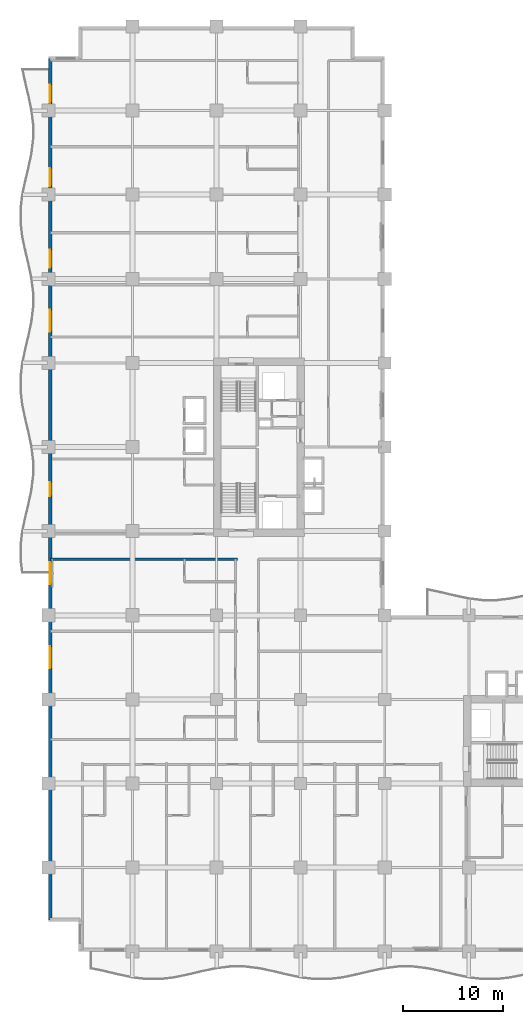
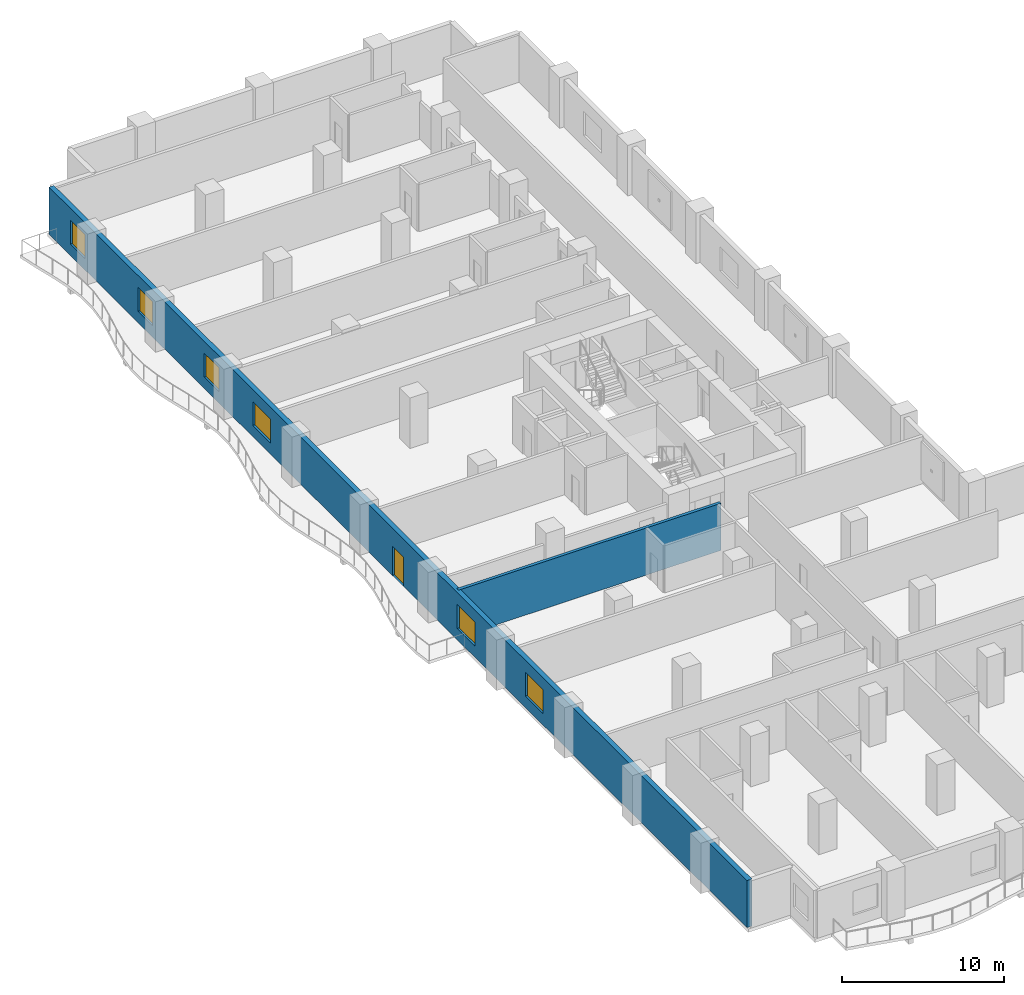
# One storey, part 7 of 18: 6 windows, 2 walls, 1 door, 7 openings.
"""IFC4 building model written with IfcOpenShell, lengths in metres."""

from ifc_helpers import new_model, si_unit, direction, frame, frame_2d, origin, place, context, subcontext, project, spatial, rectangle, extrude, material, layer, layer_set, type_object, element, fill, save


model = new_model("IFC4")

# Units and contexts
model_context = context("Model", 3, precision=1e-05, world=origin(), true_north=direction((0.0, 1.0)))
body_context = subcontext(model_context, "Body", "Model", "MODEL_VIEW")
ifc_project = project(units=[si_unit("LENGTHUNIT", "METRE"), si_unit("AREAUNIT", "SQUARE_METRE"), si_unit("VOLUMEUNIT", "CUBIC_METRE"), si_unit("PLANEANGLEUNIT", "RADIAN"), si_unit("MASSUNIT", "GRAM", prefix="KILO")], contexts=[model_context])

# Site, building, storey
site_placement = place(None, origin())
site = spatial("IfcSite", under=ifc_project, at=site_placement, CompositionType="ELEMENT")
building_placement = place(site_placement, origin())
building = spatial("IfcBuilding", under=site, at=building_placement, Name="Koriwani Terraces Tower", CompositionType="ELEMENT")
storey_placement = place(building_placement, frame((0.0, 0.0, 107.60009765625)))
storey = spatial("IfcBuildingStorey", under=building, at=storey_placement, Name="L25", CompositionType="ELEMENT", Elevation=107.60009765625)

# Wall
ifc_material_1 = material(Name="Autoclaved Cellular Concrete Blockwork", Category="masonry")
ifc_layer_1 = layer(ifc_material_1, 0.219970703125, Name="Autoclaved Cellular Concrete Blockwork")
ifc_layer_set_1 = layer_set([ifc_layer_1], Name="Autoclaved Cellular Concrete Blockwork")
wall_type_1 = type_object("IfcWallType", Name="WALL_DEMISING_220", PredefinedType="PARTITIONING", material=ifc_layer_set_1)
wall_1_placement = place(storey_placement, frame((0.199951171875, 39.199951171875, 0.0), z_axis=(0.0, 0.0, 1.0), x_axis=(1.0, 0.0, 0.0)))
element("IfcWall", 1, at=wall_1_placement, inside=storey, type_object=wall_type_1, Name="L25 Interior Wall WDEME-L25-NW", PredefinedType="PARTITIONING", context=body_context, shape_type="SweptSolid", body=[
    extrude(rectangle(XDim=18.679931640625, YDim=0.219970703125, at=frame_2d((9.33984375, 0.0))), origin(), (0.0, 0.0, 1.0), 3.5498046875),
])

# Wall, openings, door, windows
ifc_material_2 = material(Name="Concrete C50/60", Category="concrete")
ifc_layer_2 = layer(ifc_material_2, 0.35009765625, Name="Concrete C50/60")
ifc_layer_set_2 = layer_set([ifc_layer_2], Name="Concrete C50/60")
wall_type_2 = type_object("IfcWallType", Name="WALL_EXT_BRUTALIST_350", PredefinedType="STANDARD", material=ifc_layer_set_2)
wall_2_placement = place(storey_placement, frame((0.175048828125, 3.175048828125, 0.0), z_axis=(0.0, 0.0, 1.0), x_axis=(0.0, 1.0, 0.0)))
wall_2 = element("IfcWall", 2, at=wall_2_placement, inside=storey, type_object=wall_type_2, Name="L25 Fair-Faced Brutalist Exterior Wall (W)", PredefinedType="STANDARD", context=body_context, shape_type="SweptSolid", body=[
    extrude(rectangle(XDim=86.050048828125, YDim=0.35009765625, at=frame_2d((43.02490234375, 0.0))), origin(), (0.0, 0.0, 1.0), 3.5498046875),
])
opening_1_placement = place(wall_2_placement, frame((42.324951171875, 0.0, 0.0)))
opening_1 = element("IfcOpeningElement", 3, at=opening_1_placement, cuts=wall_2, Name="Opening D-09", PredefinedType="OPENING", context=body_context, shape_type="SweptSolid", body=[
    extrude(rectangle(XDim=1.39990234375, YDim=2.199951171875, at=frame_2d((0.699951171875, 1.10009765625))), frame((0.0, 0.18505859375, 0.0), z_axis=(0.0, -1.0, 0.0), x_axis=(1.0, 0.0, 0.0)), (0.0, 0.0, 1.0), 0.3701171875),
])
opening_2_placement = place(wall_2_placement, frame((25.125, 0.0, 0.85009765625)))
opening_2 = element("IfcOpeningElement", 4, at=opening_2_placement, cuts=wall_2, Name="Opening W-01", PredefinedType="OPENING", context=body_context, shape_type="SweptSolid", body=[
    extrude(rectangle(XDim=2.199951171875, YDim=1.800048828125, at=frame_2d((1.10009765625, 0.89990234375))), frame((0.0, 0.18505859375, 0.0), z_axis=(0.0, -1.0, 0.0), x_axis=(1.0, 0.0, 0.0)), (0.0, 0.0, 1.0), 0.3701171875),
])
opening_3_placement = place(wall_2_placement, frame((33.52490234375, 0.0, 0.85009765625)))
opening_3 = element("IfcOpeningElement", 5, at=opening_3_placement, cuts=wall_2, Name="Opening W-01", PredefinedType="OPENING", context=body_context, shape_type="SweptSolid", body=[
    extrude(rectangle(XDim=2.199951171875, YDim=1.800048828125, at=frame_2d((1.10009765625, 0.89990234375))), frame((0.0, 0.18505859375, 0.0), z_axis=(0.0, -1.0, 0.0), x_axis=(1.0, 0.0, 0.0)), (0.0, 0.0, 1.0), 0.3701171875),
])
opening_4_placement = place(wall_2_placement, frame((58.72509765625, 0.0, 0.85009765625)))
opening_4 = element("IfcOpeningElement", 6, at=opening_4_placement, cuts=wall_2, Name="Opening W-01", PredefinedType="OPENING", context=body_context, shape_type="SweptSolid", body=[
    extrude(rectangle(XDim=2.199951171875, YDim=1.800048828125, at=frame_2d((1.10009765625, 0.89990234375))), frame((0.0, 0.18505859375, 0.0), z_axis=(0.0, -1.0, 0.0), x_axis=(1.0, 0.0, 0.0)), (0.0, 0.0, 1.0), 0.3701171875),
])
opening_5_placement = place(wall_2_placement, frame((65.125, 0.0, 0.85009765625)))
opening_5 = element("IfcOpeningElement", 7, at=opening_5_placement, cuts=wall_2, Name="Opening W-04", PredefinedType="OPENING", context=body_context, shape_type="SweptSolid", body=[
    extrude(rectangle(XDim=1.800048828125, YDim=1.800048828125, at=frame_2d((0.89990234375, 0.89990234375))), frame((0.0, 0.18505859375, 0.0), z_axis=(0.0, -1.0, 0.0), x_axis=(1.0, 0.0, 0.0)), (0.0, 0.0, 1.0), 0.3701171875),
])
opening_6_placement = place(wall_2_placement, frame((73.27490234375, 0.0, 0.85009765625)))
opening_6 = element("IfcOpeningElement", 8, at=opening_6_placement, cuts=wall_2, Name="Opening W-04", PredefinedType="OPENING", context=body_context, shape_type="SweptSolid", body=[
    extrude(rectangle(XDim=1.800048828125, YDim=1.800048828125, at=frame_2d((0.89990234375, 0.89990234375))), frame((0.0, 0.18505859375, 0.0), z_axis=(0.0, -1.0, 0.0), x_axis=(1.0, 0.0, 0.0)), (0.0, 0.0, 1.0), 0.3701171875),
])
opening_7_placement = place(wall_2_placement, frame((81.625, 0.0, 0.85009765625)))
opening_7 = element("IfcOpeningElement", 9, at=opening_7_placement, cuts=wall_2, Name="Opening W-04", PredefinedType="OPENING", context=body_context, shape_type="SweptSolid", body=[
    extrude(rectangle(XDim=1.800048828125, YDim=1.800048828125, at=frame_2d((0.89990234375, 0.89990234375))), frame((0.0, 0.18505859375, 0.0), z_axis=(0.0, -1.0, 0.0), x_axis=(1.0, 0.0, 0.0)), (0.0, 0.0, 1.0), 0.3701171875),
])
ifc_material_3 = material(Name="Anodised Bronze Aluminium", Category="aluminium")
door_type = type_object("IfcDoorType", Name="DOOR_BALCONY_GLAZED_1400X2200", OperationType="NOTDEFINED", PredefinedType="DOOR", material=ifc_material_3)
door_placement = place(opening_1_placement, origin())
door = element("IfcDoor", 10, at=door_placement, inside=storey, type_object=door_type, Name="L25 West Balcony Glazed Door", OperationType="SINGLE_SWING_LEFT", OverallHeight=2.199951171875, OverallWidth=1.39990234375, PredefinedType="DOOR", context=body_context, shape_type="SweptSolid", body=[
    extrude(rectangle(XDim=1.39990234375, YDim=2.199951171875, at=frame_2d((0.699951171875, 1.10009765625))), frame((0.0, 0.02490234375, 0.0), z_axis=(0.0, -1.0, 0.0), x_axis=(1.0, 0.0, 0.0)), (0.0, 0.0, 1.0), 0.050048828125),
])
fill(opening_1, door)
ifc_material_4 = material(Name="Tempered Laminated Low-E Glass", Category="glass")
window_type_1 = type_object("IfcWindowType", Name="WIN_HOTEL_STD_2200X1800", PartitioningType="DOUBLE_PANEL_VERTICAL", PredefinedType="WINDOW", material=ifc_material_4)
window_1_placement = place(opening_2_placement, origin())
window_1 = element("IfcWindow", 11, at=window_1_placement, inside=storey, type_object=window_type_1, Name="L25 Exterior Window (W-9)", OverallHeight=1.800048828125, OverallWidth=2.199951171875, PartitioningType="SINGLE_PANEL", PredefinedType="WINDOW", context=body_context, shape_type="SweptSolid", body=[
    extrude(rectangle(XDim=2.199951171875, YDim=1.800048828125, at=frame_2d((1.10009765625, 0.89990234375))), frame((0.0, 0.030029296875, 0.0), z_axis=(0.0, -1.0, 0.0), x_axis=(1.0, 0.0, 0.0)), (0.0, 0.0, 1.0), 0.06005859375),
])
fill(opening_2, window_1)
window_2_placement = place(opening_3_placement, origin())
window_2 = element("IfcWindow", 12, at=window_2_placement, inside=storey, type_object=window_type_1, Name="L25 Exterior Window (W-12)", OverallHeight=1.800048828125, OverallWidth=2.199951171875, PartitioningType="SINGLE_PANEL", PredefinedType="WINDOW", context=body_context, shape_type="SweptSolid", body=[
    extrude(rectangle(XDim=2.199951171875, YDim=1.800048828125, at=frame_2d((1.10009765625, 0.89990234375))), frame((0.0, 0.030029296875, 0.0), z_axis=(0.0, -1.0, 0.0), x_axis=(1.0, 0.0, 0.0)), (0.0, 0.0, 1.0), 0.06005859375),
])
fill(opening_3, window_2)
window_3_placement = place(opening_4_placement, origin())
window_3 = element("IfcWindow", 13, at=window_3_placement, inside=storey, type_object=window_type_1, Name="L25 Exterior Window (W-21)", OverallHeight=1.800048828125, OverallWidth=2.199951171875, PartitioningType="SINGLE_PANEL", PredefinedType="WINDOW", context=body_context, shape_type="SweptSolid", body=[
    extrude(rectangle(XDim=2.199951171875, YDim=1.800048828125, at=frame_2d((1.10009765625, 0.89990234375))), frame((0.0, 0.030029296875, 0.0), z_axis=(0.0, -1.0, 0.0), x_axis=(1.0, 0.0, 0.0)), (0.0, 0.0, 1.0), 0.06005859375),
])
fill(opening_4, window_3)
window_type_2 = type_object("IfcWindowType", Name="WIN_RES_BED_1800X1800", PartitioningType="DOUBLE_PANEL_VERTICAL", PredefinedType="WINDOW", material=ifc_material_4)
window_4_placement = place(opening_5_placement, origin())
window_4 = element("IfcWindow", 14, at=window_4_placement, inside=storey, type_object=window_type_2, Name="L25 Exterior Window (W-R48)", OverallHeight=1.800048828125, OverallWidth=1.800048828125, PartitioningType="SINGLE_PANEL", PredefinedType="WINDOW", context=body_context, shape_type="SweptSolid", body=[
    extrude(rectangle(XDim=1.800048828125, YDim=1.800048828125, at=frame_2d((0.89990234375, 0.89990234375))), frame((0.0, 0.030029296875, 0.0), z_axis=(0.0, -1.0, 0.0), x_axis=(1.0, 0.0, 0.0)), (0.0, 0.0, 1.0), 0.06005859375),
])
fill(opening_5, window_4)
window_5_placement = place(opening_6_placement, origin())
window_5 = element("IfcWindow", 15, at=window_5_placement, inside=storey, type_object=window_type_2, Name="L25 Exterior Window (W-R50)", OverallHeight=1.800048828125, OverallWidth=1.800048828125, PartitioningType="SINGLE_PANEL", PredefinedType="WINDOW", context=body_context, shape_type="SweptSolid", body=[
    extrude(rectangle(XDim=1.800048828125, YDim=1.800048828125, at=frame_2d((0.89990234375, 0.89990234375))), frame((0.0, 0.030029296875, 0.0), z_axis=(0.0, -1.0, 0.0), x_axis=(1.0, 0.0, 0.0)), (0.0, 0.0, 1.0), 0.06005859375),
])
fill(opening_6, window_5)
window_6_placement = place(opening_7_placement, origin())
window_6 = element("IfcWindow", 16, at=window_6_placement, inside=storey, type_object=window_type_2, Name="L25 Exterior Window (W-R52)", OverallHeight=1.800048828125, OverallWidth=1.800048828125, PartitioningType="SINGLE_PANEL", PredefinedType="WINDOW", context=body_context, shape_type="SweptSolid", body=[
    extrude(rectangle(XDim=1.800048828125, YDim=1.800048828125, at=frame_2d((0.89990234375, 0.89990234375))), frame((0.0, 0.030029296875, 0.0), z_axis=(0.0, -1.0, 0.0), x_axis=(1.0, 0.0, 0.0)), (0.0, 0.0, 1.0), 0.06005859375),
])
fill(opening_7, window_6)

save(model, "model.ifc")
